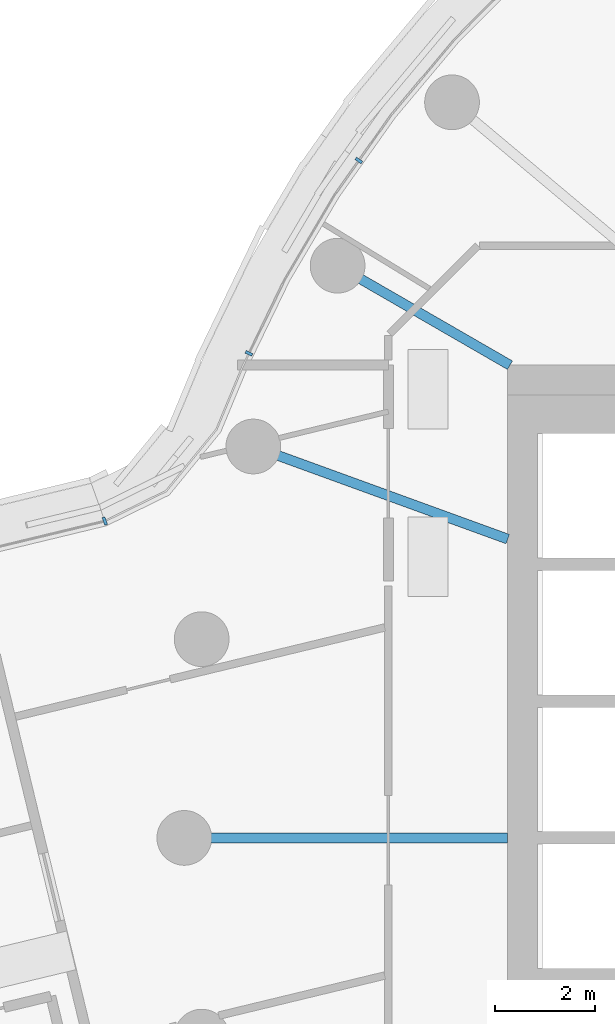
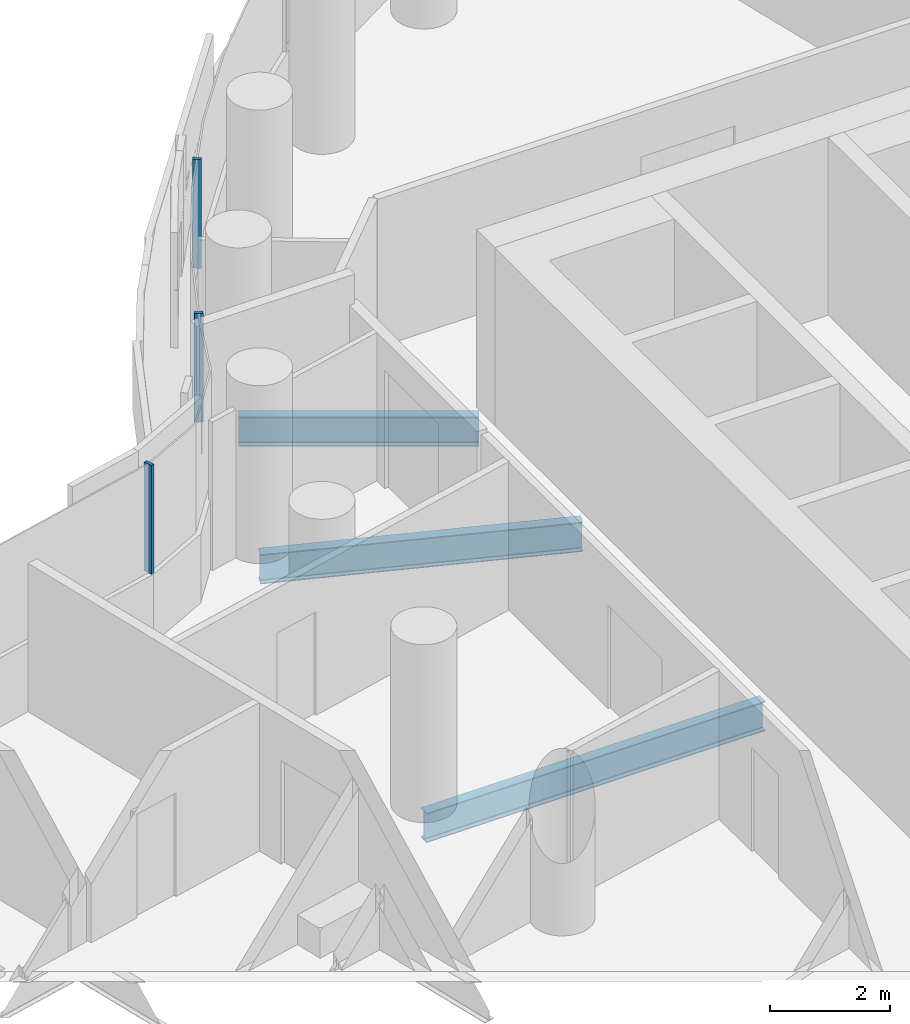
# One storey, part 7 of 33: 3 beams, 3 members, 2 elements without a shape of their own.
"""IFC4 building model written with IfcOpenShell, lengths in metres."""

import ifcopenshell
import ifcopenshell.guid

model = None  # the IFC model being written
_history = None  # IfcOwnerHistory: only IFC2X3 demands one
_inside = {}  # id of a spatial element -> (the spatial element, [elements in it])
_under = {}  # id of a project, library or spatial element -> (it, [spatial elements below it])
_declared = {}  # id of a project -> (the project, [libraries it declares])
_typed = {}  # id of a type object -> (the type object, [elements of that type])
_made_of = {}  # id of a material, layer set ... -> (it, [elements and type objects made of it])


def new_model(schema):
    """Start an empty IFC model of exactly this schema.

    Asked for "IFC4X3", IfcOpenShell would pick the latest addendum, in which some entities
    have other attributes; the version numbers below select the first issue.
    IFC2X3 requires an IfcOwnerHistory on every rooted entity: one is made here for all.
    """
    global model, _history
    if schema == "IFC4X3":
        model = ifcopenshell.file(schema_version=(4, 3, 0, 0))
    else:
        model = ifcopenshell.file(schema=schema)
    _inside.clear()
    _under.clear()
    _declared.clear()
    _typed.clear()
    _made_of.clear()
    _history = None
    if model.schema == "IFC2X3":
        org = make("IfcOrganization", Name="unknown")
        user = make(
            "IfcPersonAndOrganization",
            ThePerson=make("IfcPerson", FamilyName="unknown"),
            TheOrganization=org,
        )
        app = make(
            "IfcApplication",
            ApplicationDeveloper=org,
            Version="unknown",
            ApplicationFullName="unknown",
            ApplicationIdentifier="unknown",
        )
        _history = make(
            "IfcOwnerHistory",
            OwningUser=user,
            OwningApplication=app,
            ChangeAction="ADDED",
            CreationDate=0,
        )
    return model


def make(cls, **values):
    """One entity of the class cls with the attributes given. An attribute that is None is left unset."""
    return model.create_entity(
        cls, **{name: value for name, value in values.items() if value is not None}
    )


def rooted(cls, **values):
    """An entity with a GlobalId (a new one), such as an element, a storey or a relation."""
    return make(cls, GlobalId=ifcopenshell.guid.new(), OwnerHistory=_history, **values)


def si_unit(unit_type, name, prefix=None):
    """IfcSIUnit, for example si_unit("LENGTHUNIT", "METRE", prefix="MILLI")."""
    return make("IfcSIUnit", UnitType=unit_type, Prefix=prefix, Name=name)


def assignment(units):
    """IfcUnitAssignment: the units of a project."""
    return None if units is None else make("IfcUnitAssignment", Units=units)


def point(xyz):
    """IfcCartesianPoint."""
    return None if xyz is None else make("IfcCartesianPoint", Coordinates=xyz)


def direction(xyz):
    """IfcDirection."""
    return None if xyz is None else make("IfcDirection", DirectionRatios=xyz)


def frame(location, z_axis=None, x_axis=None):
    """IfcAxis2Placement3D, a coordinate frame: its origin and axes. An axis left out is left unset."""
    return make(
        "IfcAxis2Placement3D",
        Location=point(location),
        Axis=direction(z_axis),
        RefDirection=direction(x_axis),
    )


def frame_2d(location, x_axis=None):
    """IfcAxis2Placement2D, a coordinate frame in the plane: its origin and x axis."""
    return make(
        "IfcAxis2Placement2D", Location=point(location), RefDirection=direction(x_axis)
    )


def origin():
    """The frame at (0, 0, 0) with its axes left unset."""
    return frame((0.0, 0.0, 0.0))


def origin_2d():
    """The frame at (0, 0) in the plane with its x axis left unset."""
    return frame_2d((0.0, 0.0))


def place(relative_to, where):
    """IfcLocalPlacement: puts the frame where relative to a parent placement (None: the world)."""
    return make(
        "IfcLocalPlacement", PlacementRelTo=relative_to, RelativePlacement=where
    )


def context(
    kind, dimensions, precision=None, world=None, true_north=None, identifier=None
):
    """IfcGeometricRepresentationContext, for example the 3D "Model" context."""
    return make(
        "IfcGeometricRepresentationContext",
        ContextIdentifier=identifier,
        ContextType=kind,
        CoordinateSpaceDimension=dimensions,
        Precision=precision,
        WorldCoordinateSystem=world,
        TrueNorth=true_north,
    )


def subcontext(parent, identifier, kind, view, scale=None):
    """IfcGeometricRepresentationSubContext, for example "Body" below "Model"."""
    return make(
        "IfcGeometricRepresentationSubContext",
        ContextIdentifier=identifier,
        ContextType=kind,
        ParentContext=parent,
        TargetScale=scale,
        TargetView=view,
    )


def project(units=None, contexts=None):
    """IfcProject with its units and contexts."""
    return rooted(
        "IfcProject",
        Name="project",
        RepresentationContexts=contexts,
        UnitsInContext=assignment(units),
    )


def spatial(cls, under=None, at=None, **own):
    """A site, building, storey or space (cls), placed at a placement, below another one or the project."""
    s = rooted(cls, ObjectPlacement=at, **own)
    if under is not None:
        _under.setdefault(under.id(), (under, []))[1].append(s)
    return s


def profile(cls, at=None, kind="AREA", **sizes):
    """A parametric profile (cls). Its sizes go by their IFC names, for example OverallWidth=200.0."""
    return make(cls, ProfileType=kind, Position=at, **sizes)


def rectangle(**sizes):
    """IfcRectangleProfileDef."""
    return profile("IfcRectangleProfileDef", **sizes)


def i_section(**sizes):
    """IfcIShapeProfileDef."""
    return profile("IfcIShapeProfileDef", **sizes)


def extrude(swept, where, along, depth):
    """IfcExtrudedAreaSolid: the profile swept, set in the frame where, extruded along a direction by depth."""
    return make(
        "IfcExtrudedAreaSolid",
        SweptArea=swept,
        Position=where,
        ExtrudedDirection=direction(along),
        Depth=depth,
    )


def shape(context_of_items, identifier, shape_type, items):
    """IfcShapeRepresentation: the items that make up one representation, for example the "Body"."""
    return make(
        "IfcShapeRepresentation",
        ContextOfItems=context_of_items,
        RepresentationIdentifier=identifier,
        RepresentationType=shape_type,
        Items=items,
    )


def material(Name=None, Category=None):
    """IfcMaterial."""
    return make("IfcMaterial", Name=Name, Category=Category)


def layer(
    of_material, thickness, ventilated=None, Name=None, Category=None, Priority=None
):
    """IfcMaterialLayer: one layer of a wall or slab, of a material (None: an air gap)."""
    return make(
        "IfcMaterialLayer",
        Material=of_material,
        LayerThickness=thickness,
        IsVentilated=ventilated,
        Name=Name,
        Category=Category,
        Priority=Priority,
    )


def layer_set(layers, Name=None):
    """IfcMaterialLayerSet."""
    return make("IfcMaterialLayerSet", MaterialLayers=layers, LayerSetName=Name)


def material_profile(
    of_material, cross_section, Name=None, Category=None, Priority=None
):
    """IfcMaterialProfile: a cross section and its material."""
    return make(
        "IfcMaterialProfile",
        Name=Name,
        Material=of_material,
        Profile=cross_section,
        Priority=Priority,
        Category=Category,
    )


def profile_set(profiles, Name=None, composite=None):
    """IfcMaterialProfileSet."""
    return make(
        "IfcMaterialProfileSet",
        Name=Name,
        MaterialProfiles=profiles,
        CompositeProfile=composite,
    )


def made_of(thing, what):
    """Note that an element or type object is made of a material, layer set ...; save() writes the relation."""
    if what is not None:
        _made_of.setdefault(what.id(), (what, []))[1].append(thing)
    return thing


def type_object(cls, material=None, **own):
    """A type object (cls), such as IfcWallType, which elements share."""
    return made_of(rooted(cls, **own), material)


def element(
    cls,
    number,
    at=None,
    inside=None,
    cuts=None,
    type_object=None,
    material=None,
    context=None,
    identifier="Body",
    shape_type=None,
    held_by="IfcProductDefinitionShape",
    body=None,
    shapes=None,
    **own,
):
    """One element of the class cls, such as IfcWall. Its Tag is "e" and its number.

    at: its placement. inside: the storey or other place that contains it. cuts: it is an
    opening in that element (IfcRelVoidsElement). A single representation is given by context,
    identifier, shape_type and body (its items); several are given by shapes. held_by: the class
    of the entity that holds the representations. save() writes the other relations.
    """
    e = rooted(cls, Tag="e%d" % number, ObjectPlacement=at, **own)
    if body is not None:
        shapes = [shape(context, identifier, shape_type, body)]
    if shapes is not None:
        e.Representation = make(held_by, Representations=shapes)
    if inside is not None:
        _inside.setdefault(inside.id(), (inside, []))[1].append(e)
    if cuts is not None:
        rooted(
            "IfcRelVoidsElement", RelatingBuildingElement=cuts, RelatedOpeningElement=e
        )
    if type_object is not None:
        _typed.setdefault(type_object.id(), (type_object, []))[1].append(e)
    return made_of(e, material)


def aggregate(whole, parts):
    """IfcRelAggregates: a whole, such as a stair, and the parts it consists of."""
    return rooted("IfcRelAggregates", RelatingObject=whole, RelatedObjects=parts)


def save(model, path):
    """Write the relations noted so far, then the file.

    IfcRelAggregates (storeys below a building ...), IfcRelContainedInSpatialStructure (elements
    in a storey), IfcRelDefinesByType, IfcRelAssociatesMaterial and IfcRelDeclares: one each for
    every whole, place, type object, material and project.
    """
    for whole, parts in _under.values():
        aggregate(whole, parts)
    for where, things in _inside.values():
        rooted(
            "IfcRelContainedInSpatialStructure",
            RelatedElements=things,
            RelatingStructure=where,
        )
    for kind, things in _typed.values():
        rooted("IfcRelDefinesByType", RelatedObjects=things, RelatingType=kind)
    for what, things in _made_of.values():
        rooted("IfcRelAssociatesMaterial", RelatedObjects=things, RelatingMaterial=what)
    for by, libraries in _declared.values():
        rooted("IfcRelDeclares", RelatingContext=by, RelatedDefinitions=libraries)
    model.write(path)


model = new_model("IFC4")

# Units and contexts
model_context = context("Model", 3, precision=1e-05, world=origin(), true_north=direction((0.0, 1.0)))
body_context = subcontext(model_context, "Body", "Model", "MODEL_VIEW")
ifc_project = project(units=[si_unit("LENGTHUNIT", "METRE"), si_unit("AREAUNIT", "SQUARE_METRE"), si_unit("VOLUMEUNIT", "CUBIC_METRE"), si_unit("PLANEANGLEUNIT", "RADIAN"), si_unit("MASSUNIT", "GRAM", prefix="KILO")], contexts=[model_context])

# Site, building, storey
site_placement = place(None, origin())
site = spatial("IfcSite", under=ifc_project, at=site_placement, CompositionType="ELEMENT")
building_placement = place(site_placement, origin())
building = spatial("IfcBuilding", under=site, at=building_placement, Name="Tamarind Cross Interchange Tower", CompositionType="ELEMENT")
storey_placement = place(building_placement, frame((0.0, 0.0, 83.5)))
storey = spatial("IfcBuildingStorey", under=building, at=storey_placement, Name="L19", CompositionType="ELEMENT", Elevation=83.5)

# Beams
ifc_material_1 = material(Name="Steel Q355B", Category="steel")
ifc_material_profile_1 = material_profile(ifc_material_1, i_section(OverallWidth=0.198974609375, OverallDepth=0.595947265625, WebThickness=0.010009765625, FlangeThickness=0.014892578125, FilletRadius=0.012939453125, at=origin_2d()), Name="HN 596x199x10x15")
ifc_profile_set_1 = profile_set([ifc_material_profile_1], Name="Steel Q355B")
beam_type = type_object("IfcBeamType", Name="Composite beam HN 596x199x10x15 Q355B", PredefinedType="BEAM", material=ifc_profile_set_1)
beam_1_placement = place(storey_placement, frame((-19.918701171875, 11.5, -0.43798828125), z_axis=(0.866026010844, -0.49999894854, 0.0), x_axis=(0.49999894854, 0.866026010844, 0.0)))
element("IfcBeam", 1, at=beam_1_placement, inside=storey, type_object=beam_type, Name="Beam HH15", PredefinedType="BEAM", context=body_context, shape_type="SweptSolid", body=[
    extrude(i_section(OverallWidth=0.198974609375, OverallDepth=0.595947265625, WebThickness=0.010009765625, FlangeThickness=0.014892578125, FilletRadius=0.012939453125, at=origin_2d()), origin(), (0.0, 0.0, 1.0), 4.0),
])
beam_2_placement = place(storey_placement, frame((-21.613037109375, 7.866455078125, -0.43798828125), z_axis=(0.939701685589, -0.341995236956, 0.0), x_axis=(0.341995236956, 0.939701685589, 0.0)))
element("IfcBeam", 2, at=beam_2_placement, inside=storey, type_object=beam_type, Name="Beam HH16", PredefinedType="BEAM", context=body_context, shape_type="SweptSolid", body=[
    extrude(i_section(OverallWidth=0.198974609375, OverallDepth=0.595947265625, WebThickness=0.010009765625, FlangeThickness=0.014892578125, FilletRadius=0.012939453125, at=origin_2d()), origin(), (0.0, 0.0, 1.0), 5.441162109375),
])
beam_3_placement = place(storey_placement, frame((-23.0, 0.0, -0.43798828125), z_axis=(1.0, 0.0, 0.0), x_axis=(0.0, 1.0, 0.0)))
element("IfcBeam", 3, at=beam_3_placement, inside=storey, type_object=beam_type, Name="Beam HH18", PredefinedType="BEAM", context=body_context, shape_type="SweptSolid", body=[
    extrude(i_section(OverallWidth=0.198974609375, OverallDepth=0.595947265625, WebThickness=0.010009765625, FlangeThickness=0.014892578125, FilletRadius=0.012939453125, at=origin_2d()), origin(), (0.0, 0.0, 1.0), 6.5),
])

# Curtain wall, member
ifc_material_2 = material(Name="Aluminium 6063-T6", Category="aluminium")
ifc_layer_1 = layer(ifc_material_2, 0.159912109375)
ifc_layer_set_1 = layer_set([ifc_layer_1], Name="Aluminium 6063-T6")
curtain_wall_type_1 = type_object("IfcCurtainWallType", Name="Office curtain wall, 9.0 m bays", PredefinedType="NOTDEFINED", material=ifc_layer_set_1)
curtain_wall_1_placement = place(storey_placement, origin())
curtain_wall_1 = element("IfcCurtainWall", 4, at=curtain_wall_1_placement, inside=storey, type_object=curtain_wall_type_1, Name="CWS-L19-03", PredefinedType="NOTDEFINED")
ifc_material_profile_2 = material_profile(ifc_material_2, rectangle(XDim=0.06005859375, YDim=0.159912109375, at=origin_2d()), Name="Mullion CW1")
ifc_profile_set_2 = profile_set([ifc_material_profile_2], Name="Aluminium 6063-T6")
member_type_1 = type_object("IfcMemberType", Name="Mullion CW1", PredefinedType="MULLION", material=ifc_profile_set_2)
member_1_placement = place(storey_placement, frame((-24.59716796875, 6.3681640625, 1.39990234375), z_axis=(0.0, 0.0, 1.0), x_axis=(-0.940640468092, -0.339404640198, 0.0)))
member_1 = element("IfcMember", 5, at=member_1_placement, type_object=member_type_1, Name="CWM-L19-03-00", PredefinedType="MULLION", context=body_context, shape_type="SweptSolid", body=[
    extrude(rectangle(XDim=0.06005859375, YDim=0.159912109375, at=origin_2d()), origin(), (0.0, 0.0, 1.0), 2.210205078125),
])
aggregate(curtain_wall_1, [member_1])

# Curtain wall, members
ifc_layer_2 = layer(ifc_material_2, 0.14990234375)
ifc_layer_set_2 = layer_set([ifc_layer_2], Name="Aluminium 6063-T6")
curtain_wall_type_2 = type_object("IfcCurtainWallType", Name="Winter garden and crown curtain wall", PredefinedType="NOTDEFINED", material=ifc_layer_set_2)
curtain_wall_2_placement = place(storey_placement, origin())
curtain_wall_2 = element("IfcCurtainWall", 6, at=curtain_wall_2_placement, inside=storey, type_object=curtain_wall_type_2, Name="CWS-L19-02", PredefinedType="NOTDEFINED")
ifc_material_profile_3 = material_profile(ifc_material_2, rectangle(XDim=0.06005859375, YDim=0.14990234375, at=origin_2d()), Name="Mullion CW6")
ifc_profile_set_3 = profile_set([ifc_material_profile_3], Name="Aluminium 6063-T6")
member_type_2 = type_object("IfcMemberType", Name="Mullion CW6", PredefinedType="MULLION", material=ifc_profile_set_3)
member_2_placement = place(storey_placement, frame((-19.4921875, 13.614013671875, 1.39990234375), z_axis=(0.0, 0.0, 1.0), x_axis=(-0.577568978284, -0.816341886298, 0.0)))
member_2 = element("IfcMember", 7, at=member_2_placement, type_object=member_type_2, Name="CWM-L19-02-03", PredefinedType="MULLION", context=body_context, shape_type="SweptSolid", body=[
    extrude(rectangle(XDim=0.06005859375, YDim=0.14990234375, at=origin_2d()), origin(), (0.0, 0.0, 1.0), 2.210205078125),
])
member_3_placement = place(storey_placement, frame((-21.700439453125, 9.737548828125, 1.39990234375), z_axis=(0.0, 0.0, 1.0), x_axis=(-0.435326231914, -0.900272776334, 0.0)))
member_3 = element("IfcMember", 8, at=member_3_placement, type_object=member_type_2, Name="CWM-L19-02-04", PredefinedType="MULLION", context=body_context, shape_type="SweptSolid", body=[
    extrude(rectangle(XDim=0.06005859375, YDim=0.14990234375, at=origin_2d()), origin(), (0.0, 0.0, 1.0), 2.210205078125),
])
aggregate(curtain_wall_2, [member_2, member_3])

save(model, "model.ifc")
